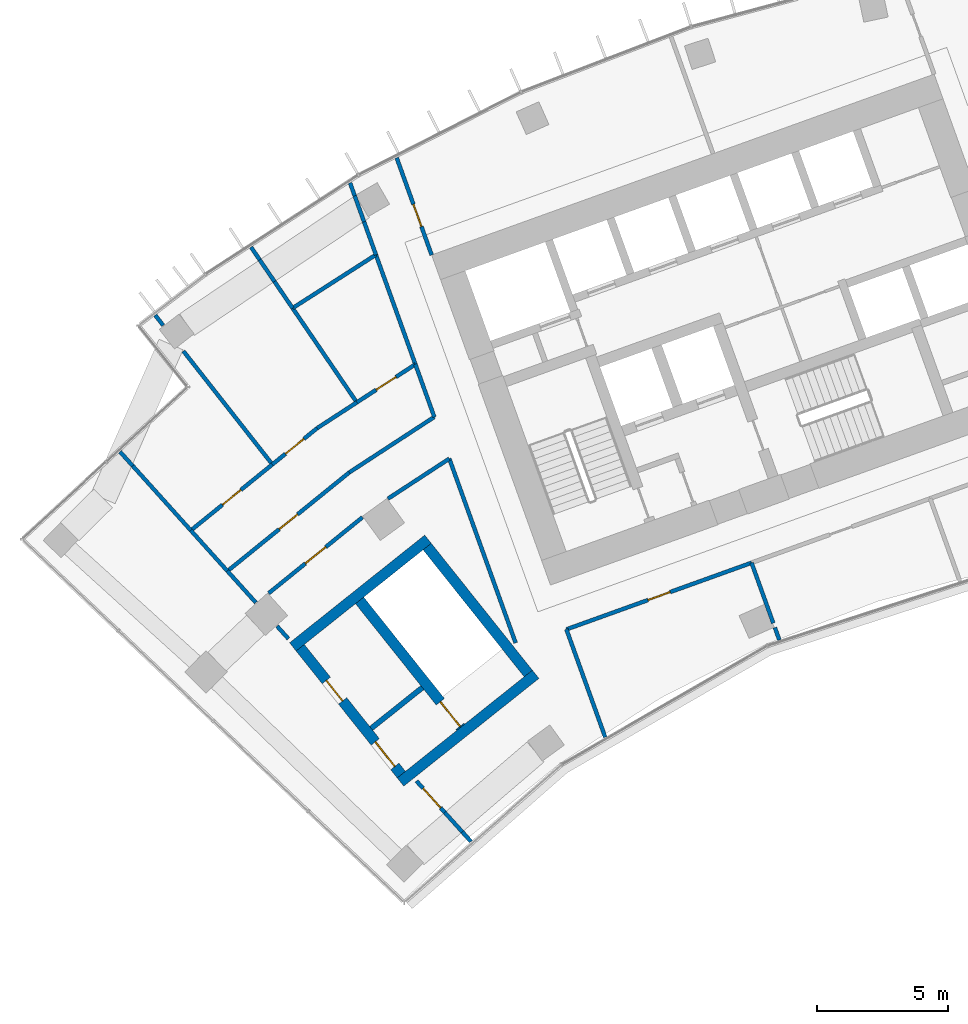
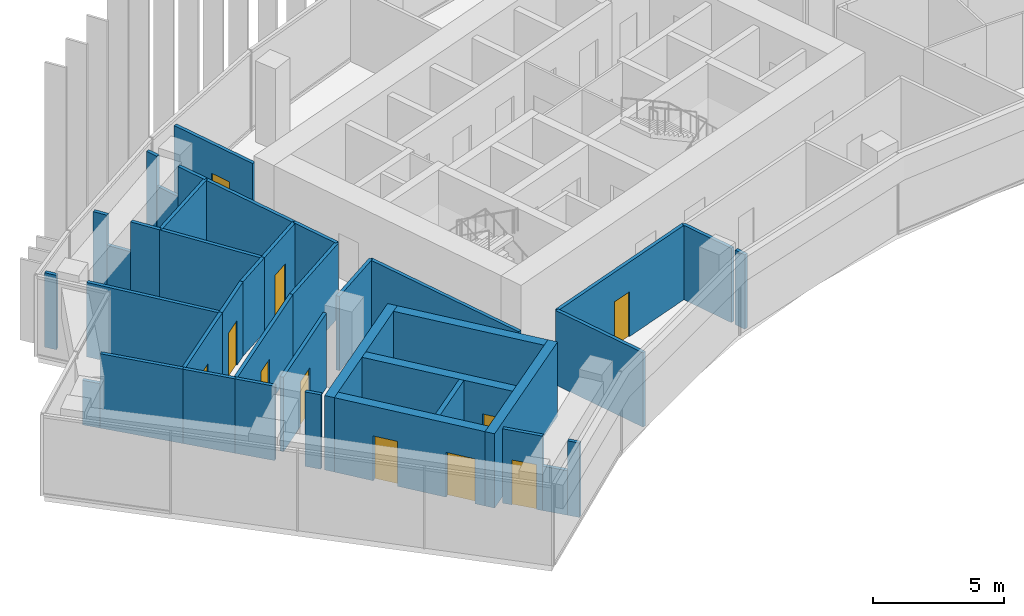
# One storey, part 13 of 20: 40 walls, 11 doors, 11 openings.
"""IFC4 building model written with IfcOpenShell, lengths in metres."""

from ifc_helpers import new_model, si_unit, direction, frame, frame_2d, origin, place, context, subcontext, project, spatial, rectangle, extrude, material, layer, layer_set, type_object, element, fill, save


model = new_model("IFC4")

# Units and contexts
model_context = context("Model", 3, precision=1e-05, world=origin(), true_north=direction((0.0, 1.0)))
body_context = subcontext(model_context, "Body", "Model", "MODEL_VIEW")
ifc_project = project(units=[si_unit("LENGTHUNIT", "METRE"), si_unit("AREAUNIT", "SQUARE_METRE"), si_unit("VOLUMEUNIT", "CUBIC_METRE"), si_unit("PLANEANGLEUNIT", "RADIAN"), si_unit("MASSUNIT", "GRAM", prefix="KILO")], contexts=[model_context])

# Site, building, storey
site_placement = place(None, origin())
site = spatial("IfcSite", under=ifc_project, at=site_placement, CompositionType="ELEMENT")
building_placement = place(site_placement, origin())
building = spatial("IfcBuilding", under=site, at=building_placement, Name="Stone Belt Terrace Tower", CompositionType="ELEMENT")
storey_placement = place(building_placement, frame((0.0, 0.0, 212.39990234375)))
storey = spatial("IfcBuildingStorey", under=building, at=storey_placement, Name="L51", CompositionType="ELEMENT", Elevation=212.39990234375)

# Wall
ifc_material_1 = material(Name="Gypsum board partition")
ifc_layer_1 = layer(ifc_material_1, 0.14990234375)
ifc_layer_set_1 = layer_set([ifc_layer_1], Name="PARTITION 150 EI 60")
wall_type_1 = type_object("IfcWallType", Name="PARTITION 150 EI 60", PredefinedType="PARTITIONING", material=ifc_layer_set_1)
wall_1_placement = place(storey_placement, frame((-25.344970703125, 40.304931640625, 0.0), z_axis=(0.0, 0.0, 1.0), x_axis=(0.338603151709, -0.94092927771, 0.0)))
element("IfcWall", 1, at=wall_1_placement, inside=storey, type_object=wall_type_1, Name="L51/wall/i001", PredefinedType="PARTITIONING", context=body_context, shape_type="SweptSolid", body=[
    extrude(rectangle(XDim=4.38525390625, YDim=0.14990234375, at=frame_2d((2.192626953125, 0.0))), origin(), (0.0, 0.0, 1.0), 3.47998046875),
])

# Wall, opening, door
wall_2_placement = place(storey_placement, frame((-31.826904296875, 58.314208984375, 0.0), z_axis=(0.0, 0.0, 1.0), x_axis=(0.338542007836, -0.940951278723, 0.0)))
wall_2 = element("IfcWall", 2, at=wall_2_placement, inside=storey, type_object=wall_type_1, Name="L51/wall/i002", PredefinedType="PARTITIONING", context=body_context, shape_type="SweptSolid", body=[
    extrude(rectangle(XDim=3.946044921875, YDim=0.14990234375, at=frame_2d((1.97314453125, 0.0))), origin(), (0.0, 0.0, 1.0), 3.47998046875),
])
opening_1_placement = place(wall_2_placement, frame((1.889892578125, 0.0, 0.0)))
opening_1 = element("IfcOpeningElement", 3, at=opening_1_placement, cuts=wall_2, Name="Opening D-D2b-04", PredefinedType="OPENING", context=body_context, shape_type="SweptSolid", body=[
    extrude(rectangle(XDim=0.89990234375, YDim=2.10009765625, at=frame_2d((0.449951171875, 1.050048828125))), frame((0.0, 0.0849609375, 0.0), z_axis=(0.0, -1.0, 0.0), x_axis=(1.0, 0.0, 0.0)), (0.0, 0.0, 1.0), 0.169921875),
])
ifc_material_2 = material(Name="Timber door leaf", Category="wood")
door_type_1 = type_object("IfcDoorType", Name="OFFICE DOOR 900 X 2100", OperationType="NOTDEFINED", PredefinedType="DOOR", material=ifc_material_2)
door_1_placement = place(opening_1_placement, origin())
door_1 = element("IfcDoor", 4, at=door_1_placement, inside=storey, type_object=door_type_1, Name="L51/door/i04", OperationType="SINGLE_SWING_RIGHT", OverallHeight=2.10009765625, OverallWidth=0.89990234375, PredefinedType="DOOR", context=body_context, shape_type="SweptSolid", body=[
    extrude(rectangle(XDim=0.89990234375, YDim=2.10009765625, at=frame_2d((0.449951171875, 1.050048828125))), frame((0.0, 0.02490234375, 0.0), z_axis=(0.0, -1.0, 0.0), x_axis=(1.0, 0.0, 0.0)), (0.0, 0.0, 1.0), 0.050048828125),
])
fill(opening_1, door_1)

# Walls
wall_3_placement = place(storey_placement, frame((-28.9892578125, 32.194580078125, 0.0), z_axis=(0.0, 0.0, 1.0), x_axis=(-0.668937334679, 0.743318802582, 0.0)))
element("IfcWall", 5, at=wall_3_placement, inside=storey, type_object=wall_type_1, Name="L51/wall/i003-1", PredefinedType="PARTITIONING", context=body_context, shape_type="SweptSolid", body=[
    extrude(rectangle(XDim=0.492431640625, YDim=0.14990234375, at=frame_2d((0.24609375, 0.0))), origin(), (0.0, 0.0, 1.0), 3.47998046875),
])
wall_4_placement = place(storey_placement, frame((-29.318603515625, 32.560546875, 0.0), z_axis=(0.0, 0.0, 1.0), x_axis=(-0.669179652787, 0.743100660944, 0.0)))
element("IfcWall", 6, at=wall_4_placement, inside=storey, type_object=wall_type_1, Name="L51/wall/i003-2", PredefinedType="PARTITIONING", context=body_context, shape_type="SweptSolid", body=[
    extrude(rectangle(XDim=1.00390625, YDim=0.14990234375, at=frame_2d((0.501953125, 0.0))), origin(), (0.0, 0.0, 1.0), 2.080078125),
])

# Wall, opening, door
wall_5_placement = place(storey_placement, frame((-29.990478515625, 33.306640625, 0.0), z_axis=(0.0, 0.0, 1.0), x_axis=(-0.669023188263, 0.74324153111, 0.0)))
wall_5 = element("IfcWall", 7, at=wall_5_placement, inside=storey, type_object=wall_type_1, Name="L51/wall/i003-3", PredefinedType="PARTITIONING", context=body_context, shape_type="SweptSolid", body=[
    extrude(rectangle(XDim=1.615234375, YDim=0.14990234375, at=frame_2d((0.8076171875, 0.0))), origin(), (0.0, 0.0, 1.0), 3.47998046875),
])
opening_2_placement = place(wall_5_placement, frame((0.239501953125, 0.0, 0.0)))
opening_2 = element("IfcOpeningElement", 8, at=opening_2_placement, cuts=wall_5, Name="Opening D-D2b-11", PredefinedType="OPENING", context=body_context, shape_type="SweptSolid", body=[
    extrude(rectangle(XDim=1.0, YDim=2.10009765625, at=frame_2d((0.5, 1.050048828125))), frame((0.0, 0.0849609375, 0.0), z_axis=(0.0, -1.0, 0.0), x_axis=(1.0, 0.0, 0.0)), (0.0, 0.0, 1.0), 0.169921875),
])
ifc_material_3 = material(Name="Timber fire door leaf", Category="wood")
door_type_2 = type_object("IfcDoorType", Name="TENANCY ENTRANCE DOOR 1000 X 2100", OperationType="NOTDEFINED", PredefinedType="DOOR", material=ifc_material_3)
door_2_placement = place(opening_2_placement, origin())
door_2 = element("IfcDoor", 9, at=door_2_placement, inside=storey, type_object=door_type_2, Name="L51/door/i11", OperationType="SINGLE_SWING_RIGHT", OverallHeight=2.10009765625, OverallWidth=1.0, PredefinedType="DOOR", context=body_context, shape_type="SweptSolid", body=[
    extrude(rectangle(XDim=1.0, YDim=2.10009765625, at=frame_2d((0.5, 1.050048828125))), frame((0.0, 0.02490234375, 0.0), z_axis=(0.0, -1.0, 0.0), x_axis=(1.0, 0.0, 0.0)), (0.0, 0.0, 1.0), 0.050048828125),
])
fill(opening_2, door_2)

# Walls
wall_6_placement = place(storey_placement, frame((-27.282958984375, 39.781982421875, 0.0), z_axis=(0.0, 0.0, 1.0), x_axis=(-0.338714849804, 0.940889074505, 0.0)))
element("IfcWall", 10, at=wall_6_placement, inside=storey, type_object=wall_type_1, Name="L51/wall/i004", PredefinedType="PARTITIONING", context=body_context, shape_type="SweptSolid", body=[
    extrude(rectangle(XDim=7.487548828125, YDim=0.14990234375, at=frame_2d((3.74365234375, 0.0))), origin(), (0.0, 0.0, 1.0), 3.47998046875),
])
wall_7_placement = place(storey_placement, frame((-30.387939453125, 48.408935546875, 0.0), z_axis=(0.0, 0.0, 1.0), x_axis=(-0.338510151975, 0.940962739438, 0.0)))
element("IfcWall", 11, at=wall_7_placement, inside=storey, type_object=wall_type_1, Name="L51/wall/i005", PredefinedType="PARTITIONING", context=body_context, shape_type="SweptSolid", body=[
    extrude(rectangle(XDim=2.147705078125, YDim=0.14990234375, at=frame_2d((1.07373046875, 0.0))), origin(), (0.0, 0.0, 1.0), 3.47998046875),
])
wall_8_placement = place(storey_placement, frame((-31.111083984375, 50.41796875, 0.0), z_axis=(0.0, 0.0, 1.0), x_axis=(-0.338855091794, 0.940838576359, 0.0)))
element("IfcWall", 12, at=wall_8_placement, inside=storey, type_object=wall_type_1, Name="L51/wall/i006", PredefinedType="PARTITIONING", context=body_context, shape_type="SweptSolid", body=[
    extrude(rectangle(XDim=4.4619140625, YDim=0.14990234375, at=frame_2d((2.23095703125, 0.0))), origin(), (0.0, 0.0, 1.0), 3.47998046875),
])
wall_9_placement = place(storey_placement, frame((-32.617919921875, 54.60498046875, 0.0), z_axis=(0.0, 0.0, 1.0), x_axis=(-0.338764516905, 0.940871193143, 0.0)))
element("IfcWall", 13, at=wall_9_placement, inside=storey, type_object=wall_type_1, Name="L51/wall/i007-1", PredefinedType="PARTITIONING", context=body_context, shape_type="SweptSolid", body=[
    extrude(rectangle(XDim=1.34326171875, YDim=0.14990234375, at=frame_2d((0.671630859375, 0.0))), origin(), (0.0, 0.0, 1.0), 3.47998046875),
])
wall_10_placement = place(storey_placement, frame((-33.072998046875, 55.868896484375, 0.0), z_axis=(0.0, 0.0, 1.0), x_axis=(-0.338875412261, 0.940831257434, 0.0)))
element("IfcWall", 14, at=wall_10_placement, inside=storey, type_object=wall_type_1, Name="L51/wall/i007-2", PredefinedType="PARTITIONING", context=body_context, shape_type="SweptSolid", body=[
    extrude(rectangle(XDim=1.05322265625, YDim=0.14990234375, at=frame_2d((0.526611328125, 0.0))), origin(), (0.0, 0.0, 1.0), 2.080078125),
])
wall_11_placement = place(storey_placement, frame((-33.429931640625, 56.85986328125, 0.0), z_axis=(0.0, 0.0, 1.0), x_axis=(-0.338867606804, 0.940834068823, 0.0)))
element("IfcWall", 15, at=wall_11_placement, inside=storey, type_object=wall_type_1, Name="L51/wall/i007-3", PredefinedType="PARTITIONING", context=body_context, shape_type="SweptSolid", body=[
    extrude(rectangle(XDim=0.525146484375, YDim=0.14990234375, at=frame_2d((0.2626953125, 0.0))), origin(), (0.0, 0.0, 1.0), 3.47998046875),
])

# Wall, opening, door
wall_12_placement = place(storey_placement, frame((-18.264892578125, 42.845947265625, 0.0), z_axis=(0.0, 0.0, 1.0), x_axis=(-0.940940358384, -0.338572358536, 0.0)))
wall_12 = element("IfcWall", 16, at=wall_12_placement, inside=storey, type_object=wall_type_1, Name="L51/wall/i015", PredefinedType="PARTITIONING", context=body_context, shape_type="SweptSolid", body=[
    extrude(rectangle(XDim=7.5224609375, YDim=0.14990234375, at=frame_2d((3.76123046875, 0.0))), origin(), (0.0, 0.0, 1.0), 3.47998046875),
])
opening_3_placement = place(wall_12_placement, frame((3.311279296875, 0.0, 0.0)))
opening_3 = element("IfcOpeningElement", 17, at=opening_3_placement, cuts=wall_12, Name="Opening D-D2b-01", PredefinedType="OPENING", context=body_context, shape_type="SweptSolid", body=[
    extrude(rectangle(XDim=0.89990234375, YDim=2.10009765625, at=frame_2d((0.449951171875, 1.050048828125))), frame((0.0, 0.0849609375, 0.0), z_axis=(0.0, -1.0, 0.0), x_axis=(1.0, 0.0, 0.0)), (0.0, 0.0, 1.0), 0.169921875),
])
door_3_placement = place(opening_3_placement, origin())
door_3 = element("IfcDoor", 18, at=door_3_placement, inside=storey, type_object=door_type_1, Name="L51/door/i01", OperationType="SINGLE_SWING_RIGHT", OverallHeight=2.10009765625, OverallWidth=0.89990234375, PredefinedType="DOOR", context=body_context, shape_type="SweptSolid", body=[
    extrude(rectangle(XDim=0.89990234375, YDim=2.10009765625, at=frame_2d((0.449951171875, 1.050048828125))), frame((0.0, 0.02490234375, 0.0), z_axis=(0.0, -1.0, 0.0), x_axis=(1.0, 0.0, 0.0)), (0.0, 0.0, 1.0), 0.050048828125),
])
fill(opening_3, door_3)

# Walls
wall_13_placement = place(storey_placement, frame((-18.27099609375, 42.843994140625, 0.0), z_axis=(0.0, 0.0, 1.0), x_axis=(0.338641965783, -0.940915309159, 0.0)))
element("IfcWall", 19, at=wall_13_placement, inside=storey, type_object=wall_type_1, Name="L51/wall/i018", PredefinedType="PARTITIONING", context=body_context, shape_type="SweptSolid", body=[
    extrude(rectangle(XDim=2.4541015625, YDim=0.14990234375, at=frame_2d((1.22705078125, 0.0))), origin(), (0.0, 0.0, 1.0), 3.47998046875),
])
wall_14_placement = place(storey_placement, frame((-17.379150390625, 40.3662109375, 0.0), z_axis=(0.0, 0.0, 1.0), x_axis=(0.338719468273, -0.940887411869, 0.0)))
element("IfcWall", 20, at=wall_14_placement, inside=storey, type_object=wall_type_1, Name="L51/wall/i019", PredefinedType="PARTITIONING", context=body_context, shape_type="SweptSolid", body=[
    extrude(rectangle(XDim=0.49951171875, YDim=0.14990234375, at=frame_2d((0.249755859375, 0.0))), origin(), (0.0, 0.0, 1.0), 3.47998046875),
])
wall_15_placement = place(storey_placement, frame((-38.294921875, 42.530029296875, 0.0), z_axis=(0.0, 0.0, 1.0), x_axis=(0.669105815647, -0.743167146386, 0.0)))
element("IfcWall", 21, at=wall_15_placement, inside=storey, type_object=wall_type_1, Name="L51/wall/i039", PredefinedType="PARTITIONING", context=body_context, shape_type="SweptSolid", body=[
    extrude(rectangle(XDim=1.625244140625, YDim=0.14990234375, at=frame_2d((0.8125, 0.0))), origin(), (0.0, 0.0, 1.0), 3.47998046875),
])
wall_16_placement = place(storey_placement, frame((-36.3974609375, 40.42333984375, 0.0), z_axis=(0.0, 0.0, 1.0), x_axis=(0.669006377534, -0.743256662815, 0.0)))
element("IfcWall", 22, at=wall_16_placement, inside=storey, type_object=wall_type_1, Name="L51/wall/i040", PredefinedType="PARTITIONING", context=body_context, shape_type="SweptSolid", body=[
    extrude(rectangle(XDim=0.647705078125, YDim=0.14990234375, at=frame_2d((0.32373046875, 0.0))), origin(), (0.0, 0.0, 1.0), 3.47998046875),
])
wall_17_placement = place(storey_placement, frame((-39.694091796875, 44.083984375, 0.0), z_axis=(0.0, 0.0, 1.0), x_axis=(0.66904169551, -0.743224871535, 0.0)))
element("IfcWall", 23, at=wall_17_placement, inside=storey, type_object=wall_type_1, Name="L51/wall/i041", PredefinedType="PARTITIONING", context=body_context, shape_type="SweptSolid", body=[
    extrude(rectangle(XDim=2.10302734375, YDim=0.14990234375, at=frame_2d((1.051513671875, 0.0))), origin(), (0.0, 0.0, 1.0), 3.47998046875),
])
wall_18_placement = place(storey_placement, frame((-42.39501953125, 47.084228515625, 0.0), z_axis=(0.0, 0.0, 1.0), x_axis=(0.669263774726, -0.743024898533, 0.0)))
element("IfcWall", 24, at=wall_18_placement, inside=storey, type_object=wall_type_1, Name="L51/wall/i042-1", PredefinedType="PARTITIONING", context=body_context, shape_type="SweptSolid", body=[
    extrude(rectangle(XDim=0.721435546875, YDim=0.14990234375, at=frame_2d((0.36083984375, 0.0))), origin(), (0.0, 0.0, 1.0), 2.080078125),
])
wall_19_placement = place(storey_placement, frame((-41.912109375, 46.548095703125, 0.0), z_axis=(0.0, 0.0, 1.0), x_axis=(0.669005267606, -0.743257661861, 0.0)))
element("IfcWall", 25, at=wall_19_placement, inside=storey, type_object=wall_type_1, Name="L51/wall/i042-2", PredefinedType="PARTITIONING", context=body_context, shape_type="SweptSolid", body=[
    extrude(rectangle(XDim=3.327392578125, YDim=0.14990234375, at=frame_2d((1.66357421875, 0.0))), origin(), (0.0, 0.0, 1.0), 3.47998046875),
])
wall_20_placement = place(storey_placement, frame((-29.81689453125, 46.821044921875, 0.0), z_axis=(0.0, 0.0, 1.0), x_axis=(-0.837343079097, -0.54667775507, 0.0)))
element("IfcWall", 26, at=wall_20_placement, inside=storey, type_object=wall_type_1, Name="L51/wall/i043", PredefinedType="PARTITIONING", context=body_context, shape_type="SweptSolid", body=[
    extrude(rectangle(XDim=2.796875, YDim=0.14990234375, at=frame_2d((1.3984375, 0.0))), origin(), (0.0, 0.0, 1.0), 3.47998046875),
])

# Wall, opening, door
wall_21_placement = place(storey_placement, frame((-33.136962890625, 44.57958984375, 0.0), z_axis=(0.0, 0.0, 1.0), x_axis=(-0.777157211672, -0.629306497937, 0.0)))
wall_21 = element("IfcWall", 27, at=wall_21_placement, inside=storey, type_object=wall_type_1, Name="L51/wall/i044", PredefinedType="PARTITIONING", context=body_context, shape_type="SweptSolid", body=[
    extrude(rectangle(XDim=4.60546875, YDim=0.14990234375, at=frame_2d((2.302734375, 0.0))), origin(), (0.0, 0.0, 1.0), 3.47998046875),
])
opening_4_placement = place(wall_21_placement, frame((1.802734375, 0.0, 0.0)))
opening_4 = element("IfcOpeningElement", 28, at=opening_4_placement, cuts=wall_21, Name="Opening D-D2b-12", PredefinedType="OPENING", context=body_context, shape_type="SweptSolid", body=[
    extrude(rectangle(XDim=1.0, YDim=2.10009765625, at=frame_2d((0.5, 1.050048828125))), frame((0.0, 0.0849609375, 0.0), z_axis=(0.0, -1.0, 0.0), x_axis=(1.0, 0.0, 0.0)), (0.0, 0.0, 1.0), 0.169921875),
])
door_4_placement = place(opening_4_placement, origin())
door_4 = element("IfcDoor", 29, at=door_4_placement, inside=storey, type_object=door_type_2, Name="L51/door/i12", OperationType="SINGLE_SWING_RIGHT", OverallHeight=2.10009765625, OverallWidth=1.0, PredefinedType="DOOR", context=body_context, shape_type="SweptSolid", body=[
    extrude(rectangle(XDim=1.0, YDim=2.10009765625, at=frame_2d((0.5, 1.050048828125))), frame((0.0, 0.02490234375, 0.0), z_axis=(0.0, -1.0, 0.0), x_axis=(1.0, 0.0, 0.0)), (0.0, 0.0, 1.0), 0.050048828125),
])
fill(opening_4, door_4)

wall_22_placement = place(storey_placement, frame((-38.291015625, 42.52587890625, 0.0), z_axis=(0.0, 0.0, 1.0), x_axis=(0.777109127033, 0.629365875054, 0.0)))
wall_22 = element("IfcWall", 30, at=wall_22_placement, inside=storey, type_object=wall_type_1, Name="L51/wall/i045", PredefinedType="PARTITIONING", context=body_context, shape_type="SweptSolid", body=[
    extrude(rectangle(XDim=5.990234375, YDim=0.14990234375, at=frame_2d((2.9951171875, 0.0))), origin(), (0.0, 0.0, 1.0), 3.47998046875),
])
opening_5_placement = place(wall_22_placement, frame((2.545166015625, 0.0, 0.0)))
opening_5 = element("IfcOpeningElement", 31, at=opening_5_placement, cuts=wall_22, Name="Opening D-D2b-13", PredefinedType="OPENING", context=body_context, shape_type="SweptSolid", body=[
    extrude(rectangle(XDim=0.89990234375, YDim=2.10009765625, at=frame_2d((0.449951171875, 1.050048828125))), frame((0.0, 0.0849609375, 0.0), z_axis=(0.0, -1.0, 0.0), x_axis=(1.0, 0.0, 0.0)), (0.0, 0.0, 1.0), 0.169921875),
])
door_5_placement = place(opening_5_placement, origin())
door_5 = element("IfcDoor", 32, at=door_5_placement, inside=storey, type_object=door_type_1, Name="L51/door/i13", OperationType="SINGLE_SWING_RIGHT", OverallHeight=2.10009765625, OverallWidth=0.89990234375, PredefinedType="DOOR", context=body_context, shape_type="SweptSolid", body=[
    extrude(rectangle(XDim=0.89990234375, YDim=2.10009765625, at=frame_2d((0.449951171875, 1.050048828125))), frame((0.0, 0.02490234375, 0.0), z_axis=(0.0, -1.0, 0.0), x_axis=(1.0, 0.0, 0.0)), (0.0, 0.0, 1.0), 0.050048828125),
])
fill(opening_5, door_5)

# Wall
wall_23_placement = place(storey_placement, frame((-33.635986328125, 46.2958984375, 0.0), z_axis=(0.0, 0.0, 1.0), x_axis=(0.83735993179, 0.54665194103, 0.0)))
element("IfcWall", 33, at=wall_23_placement, inside=storey, type_object=wall_type_1, Name="L51/wall/i046", PredefinedType="PARTITIONING", context=body_context, shape_type="SweptSolid", body=[
    extrude(rectangle(XDim=3.87646484375, YDim=0.14990234375, at=frame_2d((1.938232421875, 0.0))), origin(), (0.0, 0.0, 1.0), 3.47998046875),
])

# Wall, opening, door
wall_24_placement = place(storey_placement, frame((-39.68994140625, 44.080078125, 0.0), z_axis=(0.0, 0.0, 1.0), x_axis=(0.777257626376, 0.629182471339, 0.0)))
wall_24 = element("IfcWall", 34, at=wall_24_placement, inside=storey, type_object=wall_type_1, Name="L51/wall/i047", PredefinedType="PARTITIONING", context=body_context, shape_type="SweptSolid", body=[
    extrude(rectangle(XDim=4.011474609375, YDim=0.14990234375, at=frame_2d((2.005859375, 0.0))), origin(), (0.0, 0.0, 1.0), 3.47998046875),
])
opening_6_placement = place(wall_24_placement, frame((1.5556640625, 0.0, 0.0)))
opening_6 = element("IfcOpeningElement", 35, at=opening_6_placement, cuts=wall_24, Name="Opening D-D2b-14", PredefinedType="OPENING", context=body_context, shape_type="SweptSolid", body=[
    extrude(rectangle(XDim=0.89990234375, YDim=2.10009765625, at=frame_2d((0.449951171875, 1.050048828125))), frame((0.0, 0.0849609375, 0.0), z_axis=(0.0, -1.0, 0.0), x_axis=(1.0, 0.0, 0.0)), (0.0, 0.0, 1.0), 0.169921875),
])
door_6_placement = place(opening_6_placement, origin())
door_6 = element("IfcDoor", 36, at=door_6_placement, inside=storey, type_object=door_type_1, Name="L51/door/i14", OperationType="SINGLE_SWING_RIGHT", OverallHeight=2.10009765625, OverallWidth=0.89990234375, PredefinedType="DOOR", context=body_context, shape_type="SweptSolid", body=[
    extrude(rectangle(XDim=0.89990234375, YDim=2.10009765625, at=frame_2d((0.449951171875, 1.050048828125))), frame((0.0, 0.02490234375, 0.0), z_axis=(0.0, -1.0, 0.0), x_axis=(1.0, 0.0, 0.0)), (0.0, 0.0, 1.0), 0.050048828125),
])
fill(opening_6, door_6)

wall_25_placement = place(storey_placement, frame((-36.5810546875, 46.596923828125, 0.0), z_axis=(0.0, 0.0, 1.0), x_axis=(0.777036302679, 0.629455784244, 0.0)))
wall_25 = element("IfcWall", 37, at=wall_25_placement, inside=storey, type_object=wall_type_1, Name="L51/wall/i048", PredefinedType="PARTITIONING", context=body_context, shape_type="SweptSolid", body=[
    extrude(rectangle(XDim=2.20849609375, YDim=0.14990234375, at=frame_2d((1.104248046875, 0.0))), origin(), (0.0, 0.0, 1.0), 3.47998046875),
])
opening_7_placement = place(wall_25_placement, frame((0.654052734375, 0.0, 0.0)))
opening_7 = element("IfcOpeningElement", 38, at=opening_7_placement, cuts=wall_25, Name="Opening D-D2b-15", PredefinedType="OPENING", context=body_context, shape_type="SweptSolid", body=[
    extrude(rectangle(XDim=0.89990234375, YDim=2.10009765625, at=frame_2d((0.449951171875, 1.050048828125))), frame((0.0, 0.0849609375, 0.0), z_axis=(0.0, -1.0, 0.0), x_axis=(1.0, 0.0, 0.0)), (0.0, 0.0, 1.0), 0.169921875),
])
door_7_placement = place(opening_7_placement, origin())
door_7 = element("IfcDoor", 39, at=door_7_placement, inside=storey, type_object=door_type_1, Name="L51/door/i15", OperationType="SINGLE_SWING_RIGHT", OverallHeight=2.10009765625, OverallWidth=0.89990234375, PredefinedType="DOOR", context=body_context, shape_type="SweptSolid", body=[
    extrude(rectangle(XDim=0.89990234375, YDim=2.10009765625, at=frame_2d((0.449951171875, 1.050048828125))), frame((0.0, 0.02490234375, 0.0), z_axis=(0.0, -1.0, 0.0), x_axis=(1.0, 0.0, 0.0)), (0.0, 0.0, 1.0), 0.050048828125),
])
fill(opening_7, door_7)

# Wall
wall_26_placement = place(storey_placement, frame((-34.864990234375, 47.987060546875, 0.0), z_axis=(0.0, 0.0, 1.0), x_axis=(0.838831506128, 0.544391131749, 0.0)))
element("IfcWall", 40, at=wall_26_placement, inside=storey, type_object=wall_type_1, Name="L51/wall/i049", PredefinedType="PARTITIONING", context=body_context, shape_type="SweptSolid", body=[
    extrude(rectangle(XDim=1.810791015625, YDim=0.14990234375, at=frame_2d((0.9052734375, 0.0))), origin(), (0.0, 0.0, 1.0), 3.47998046875),
])

# Wall, opening, door
wall_27_placement = place(storey_placement, frame((-33.35595703125, 48.967041015625, 0.0), z_axis=(0.0, 0.0, 1.0), x_axis=(0.838591655075, 0.544760530912, 0.0)))
wall_27 = element("IfcWall", 41, at=wall_27_placement, inside=storey, type_object=wall_type_1, Name="L51/wall/i050", PredefinedType="PARTITIONING", context=body_context, shape_type="SweptSolid", body=[
    extrude(rectangle(XDim=2.674560546875, YDim=0.14990234375, at=frame_2d((1.33740234375, 0.0))), origin(), (0.0, 0.0, 1.0), 3.47998046875),
])
opening_8_placement = place(wall_27_placement, frame((0.887451171875, 0.0, 0.0)))
opening_8 = element("IfcOpeningElement", 42, at=opening_8_placement, cuts=wall_27, Name="Opening D-D2b-16", PredefinedType="OPENING", context=body_context, shape_type="SweptSolid", body=[
    extrude(rectangle(XDim=0.89990234375, YDim=2.10009765625, at=frame_2d((0.449951171875, 1.050048828125))), frame((0.0, 0.0849609375, 0.0), z_axis=(0.0, -1.0, 0.0), x_axis=(1.0, 0.0, 0.0)), (0.0, 0.0, 1.0), 0.169921875),
])
door_8_placement = place(opening_8_placement, origin())
door_8 = element("IfcDoor", 43, at=door_8_placement, inside=storey, type_object=door_type_1, Name="L51/door/i16", OperationType="SINGLE_SWING_RIGHT", OverallHeight=2.10009765625, OverallWidth=0.89990234375, PredefinedType="DOOR", context=body_context, shape_type="SweptSolid", body=[
    extrude(rectangle(XDim=0.89990234375, YDim=2.10009765625, at=frame_2d((0.449951171875, 1.050048828125))), frame((0.0, 0.02490234375, 0.0), z_axis=(0.0, -1.0, 0.0), x_axis=(1.0, 0.0, 0.0)), (0.0, 0.0, 1.0), 0.050048828125),
])
fill(opening_8, door_8)

# Walls
wall_28_placement = place(storey_placement, frame((-41.05078125, 52.30078125, 0.0), z_axis=(0.0, 0.0, 1.0), x_axis=(0.617296297688, -0.786730754999, 0.0)))
element("IfcWall", 44, at=wall_28_placement, inside=storey, type_object=wall_type_1, Name="L51/wall/i051", PredefinedType="PARTITIONING", context=body_context, shape_type="SweptSolid", body=[
    extrude(rectangle(XDim=0.49267578125, YDim=0.14990234375, at=frame_2d((0.246337890625, 0.0))), origin(), (0.0, 0.0, 1.0), 3.47998046875),
])
wall_29_placement = place(storey_placement, frame((-39.974609375, 50.9296875, 0.0), z_axis=(0.0, 0.0, 1.0), x_axis=(0.617445277707, -0.786613837303, 0.0)))
element("IfcWall", 45, at=wall_29_placement, inside=storey, type_object=wall_type_1, Name="L51/wall/i052-2", PredefinedType="PARTITIONING", context=body_context, shape_type="SweptSolid", body=[
    extrude(rectangle(XDim=5.5029296875, YDim=0.14990234375, at=frame_2d((2.75146484375, 0.0))), origin(), (0.0, 0.0, 1.0), 3.47998046875),
])
wall_30_placement = place(storey_placement, frame((-35.806884765625, 52.576904296875, 0.0), z_axis=(0.0, 0.0, 1.0), x_axis=(0.56279504392, -0.826596478664, 0.0)))
element("IfcWall", 46, at=wall_30_placement, inside=storey, type_object=wall_type_1, Name="L51/wall/i053", PredefinedType="PARTITIONING", context=body_context, shape_type="SweptSolid", body=[
    extrude(rectangle(XDim=4.363525390625, YDim=0.14990234375, at=frame_2d((2.181640625, 0.0))), origin(), (0.0, 0.0, 1.0), 3.47998046875),
])
wall_31_placement = place(storey_placement, frame((-37.390380859375, 54.901611328125, 0.0), z_axis=(0.0, 0.0, 1.0), x_axis=(0.562694735381, -0.826664765655, 0.0)))
element("IfcWall", 47, at=wall_31_placement, inside=storey, type_object=wall_type_1, Name="L51/wall/i054-1", PredefinedType="PARTITIONING", context=body_context, shape_type="SweptSolid", body=[
    extrude(rectangle(XDim=0.590087890625, YDim=0.14990234375, at=frame_2d((0.294921875, 0.0))), origin(), (0.0, 0.0, 1.0), 3.47998046875),
])
wall_32_placement = place(storey_placement, frame((-37.058349609375, 54.413818359375, 0.0), z_axis=(0.0, 0.0, 1.0), x_axis=(0.562837083605, -0.826567854032, 0.0)))
element("IfcWall", 48, at=wall_32_placement, inside=storey, type_object=wall_type_1, Name="L51/wall/i054-2", PredefinedType="PARTITIONING", context=body_context, shape_type="SweptSolid", body=[
    extrude(rectangle(XDim=1.000732421875, YDim=0.14990234375, at=frame_2d((0.50048828125, 0.0))), origin(), (0.0, 0.0, 1.0), 2.080078125),
])
wall_33_placement = place(storey_placement, frame((-36.4951171875, 53.586669921875, 0.0), z_axis=(0.0, 0.0, 1.0), x_axis=(0.562667252067, -0.826683472347, 0.0)))
element("IfcWall", 49, at=wall_33_placement, inside=storey, type_object=wall_type_1, Name="L51/wall/i054-3", PredefinedType="PARTITIONING", context=body_context, shape_type="SweptSolid", body=[
    extrude(rectangle(XDim=1.233642578125, YDim=0.14990234375, at=frame_2d((0.61669921875, 0.0))), origin(), (0.0, 0.0, 1.0), 3.47998046875),
])
wall_34_placement = place(storey_placement, frame((-35.803955078125, 52.572021484375, 0.0), z_axis=(0.0, 0.0, 1.0), x_axis=(0.842102486174, 0.539317534278, 0.0)))
element("IfcWall", 50, at=wall_34_placement, inside=storey, type_object=wall_type_1, Name="L51/wall/i055", PredefinedType="PARTITIONING", context=body_context, shape_type="SweptSolid", body=[
    extrude(rectangle(XDim=3.78076171875, YDim=0.14990234375, at=frame_2d((1.890380859375, 0.0))), origin(), (0.0, 0.0, 1.0), 3.47998046875),
])
ifc_material_4 = material(Name="Concrete masonry block", Category="masonry")
ifc_layer_2 = layer(ifc_material_4, 0.199951171875)
ifc_layer_set_2 = layer_set([ifc_layer_2], Name="Rated lobby wall 200")
wall_type_2 = type_object("IfcWallType", Name="Rated lobby wall 200", PredefinedType="PARTITIONING", material=ifc_layer_set_2)
wall_35_placement = place(storey_placement, frame((-30.845703125, 38.074951171875, 0.0), z_axis=(0.0, 0.0, 1.0), x_axis=(-0.782115323833, -0.623133709749, 0.0)))
element("IfcWall", 51, at=wall_35_placement, inside=storey, type_object=wall_type_2, Name="Exit stair ST3A wall", PredefinedType="PARTITIONING", context=body_context, shape_type="SweptSolid", body=[
    extrude(rectangle(XDim=2.5, YDim=0.199951171875, at=frame_2d((1.25, 0.0))), origin(), (0.0, 0.0, 1.0), 3.47998046875),
])
ifc_material_5 = material(Name="Concrete B80", Category="concrete")
ifc_layer_3 = layer(ifc_material_5, 0.39990234375)
ifc_layer_set_3 = layer_set([ifc_layer_3], Name="Stair enclosure wall 400")
wall_type_3 = type_object("IfcWallType", Name="Stair enclosure wall 400", PredefinedType="SHEAR", material=ifc_layer_set_3)
for number, where, z_axis, x_axis, name in (
    (52, (-26.518798828125, 38.58154296875, 0.0), (0.0, 0.0, 1.0), (-0.782133914161, -0.623110375711, 0.0), "Exit stair ST3A wall"),
    (53, (-30.63134765625, 43.74365234375, 0.0), (0.0, 0.0, 1.0), (-0.782133914161, -0.623110375711, 0.0), "Exit stair ST3A wall"),
):
    element("IfcWall", number, at=place(storey_placement, frame(where, z_axis=z_axis, x_axis=x_axis)), inside=storey, type_object=wall_type_3, Name=name, PredefinedType="SHEAR", context=body_context, shape_type="SweptSolid", body=[
        extrude(rectangle(XDim=6.60009765625, YDim=0.39990234375, at=frame_2d((3.300048828125, 0.0))), origin(), (0.0, 0.0, 1.0), 3.47998046875),
    ])
wall_36_placement = place(storey_placement, frame((-26.7998046875, 38.61328125, 0.0), z_axis=(0.0, 0.0, 1.0), x_axis=(-0.623118653668, 0.782127319208, 0.0)))
element("IfcWall", 54, at=wall_36_placement, inside=storey, type_object=wall_type_3, Name="Exit stair ST3A wall", PredefinedType="SHEAR", context=body_context, shape_type="SweptSolid", body=[
    extrude(rectangle(XDim=6.199951171875, YDim=0.39990234375, at=frame_2d((3.10009765625, 0.0))), origin(), (0.0, 0.0, 1.0), 3.47998046875),
])

# Wall, openings, doors
wall_37_placement = place(storey_placement, frame((-31.64892578125, 34.75, 0.0), z_axis=(0.0, 0.0, 1.0), x_axis=(-0.623118653668, 0.782127319208, 0.0)))
wall_37 = element("IfcWall", 55, at=wall_37_placement, inside=storey, type_object=wall_type_3, Name="Exit stair ST3A wall", PredefinedType="SHEAR", context=body_context, shape_type="SweptSolid", body=[
    extrude(rectangle(XDim=6.199951171875, YDim=0.39990234375, at=frame_2d((3.10009765625, 0.0))), origin(), (0.0, 0.0, 1.0), 3.47998046875),
])
opening_9_placement = place(wall_37_placement, frame((0.39990234375, 0.0, 0.0)))
opening_9 = element("IfcOpeningElement", 56, at=opening_9_placement, cuts=wall_37, Name="Opening L51-C30", PredefinedType="OPENING", context=body_context, shape_type="SweptSolid", body=[
    extrude(rectangle(XDim=1.199951171875, YDim=2.10009765625, at=frame_2d((0.60009765625, 1.050048828125))), frame((0.0, 0.2099609375, 0.0), z_axis=(0.0, -1.0, 0.0), x_axis=(1.0, 0.0, 0.0)), (0.0, 0.0, 1.0), 0.419921875),
])
opening_10_placement = place(wall_37_placement, frame((3.60009765625, 0.0, 0.0)))
opening_10 = element("IfcOpeningElement", 57, at=opening_10_placement, cuts=wall_37, Name="Opening L51-C31", PredefinedType="OPENING", context=body_context, shape_type="SweptSolid", body=[
    extrude(rectangle(XDim=1.0, YDim=2.10009765625, at=frame_2d((0.5, 1.050048828125))), frame((0.0, 0.2099609375, 0.0), z_axis=(0.0, -1.0, 0.0), x_axis=(1.0, 0.0, 0.0)), (0.0, 0.0, 1.0), 0.419921875),
])
door_type_3 = type_object("IfcDoorType", Name="Core room door 1000", OperationType="SINGLE_SWING_LEFT", PredefinedType="DOOR", material=ifc_material_2)
door_9_placement = place(opening_10_placement, origin())
door_9 = element("IfcDoor", 58, at=door_9_placement, inside=storey, type_object=door_type_3, Name="Door to stair pressurisation plant room ST3A", OperationType="SINGLE_SWING_RIGHT", OverallHeight=2.10009765625, OverallWidth=1.0, PredefinedType="DOOR", context=body_context, shape_type="SweptSolid", body=[
    extrude(rectangle(XDim=1.0, YDim=2.10009765625, at=frame_2d((0.5, 1.050048828125))), frame((0.0, 0.02490234375, 0.0), z_axis=(0.0, -1.0, 0.0), x_axis=(1.0, 0.0, 0.0)), (0.0, 0.0, 1.0), 0.050048828125),
])
fill(opening_10, door_9)
ifc_material_6 = material(Name="Steel door leaf", Category="steel")
door_type_4 = type_object("IfcDoorType", Name="Stair airlock door 1200", OperationType="SINGLE_SWING_LEFT", PredefinedType="DOOR", material=ifc_material_6)
door_10_placement = place(opening_9_placement, origin())
door_10 = element("IfcDoor", 59, at=door_10_placement, inside=storey, type_object=door_type_4, Name="Stair airlock door ST3A", OperationType="SINGLE_SWING_RIGHT", OverallHeight=2.10009765625, OverallWidth=1.199951171875, PredefinedType="DOOR", context=body_context, shape_type="SweptSolid", body=[
    extrude(rectangle(XDim=1.199951171875, YDim=2.10009765625, at=frame_2d((0.60009765625, 1.050048828125))), frame((0.0, 0.02490234375, 0.0), z_axis=(0.0, -1.0, 0.0), x_axis=(1.0, 0.0, 0.0)), (0.0, 0.0, 1.0), 0.050048828125),
])
fill(opening_9, door_10)

# Wall, opening, door
wall_38_placement = place(storey_placement, frame((-29.380859375, 36.556884765625, 0.0), z_axis=(0.0, 0.0, 1.0), x_axis=(-0.623099462847, 0.782142608097, 0.0)))
wall_38 = element("IfcWall", 60, at=wall_38_placement, inside=storey, type_object=wall_type_3, Name="Exit stair ST3A wall", PredefinedType="SHEAR", context=body_context, shape_type="SweptSolid", body=[
    extrude(rectangle(XDim=6.2001953125, YDim=0.39990234375, at=frame_2d((3.10009765625, 0.0))), origin(), (0.0, 0.0, 1.0), 3.47998046875),
])
opening_11_placement = place(wall_38_placement, frame((0.050048828125, 0.0, 0.0)))
opening_11 = element("IfcOpeningElement", 61, at=opening_11_placement, cuts=wall_38, Name="Opening L51-C29", PredefinedType="OPENING", context=body_context, shape_type="SweptSolid", body=[
    extrude(rectangle(XDim=1.199951171875, YDim=2.10009765625, at=frame_2d((0.60009765625, 1.050048828125))), frame((0.0, 0.2099609375, 0.0), z_axis=(0.0, -1.0, 0.0), x_axis=(1.0, 0.0, 0.0)), (0.0, 0.0, 1.0), 0.419921875),
])
door_type_5 = type_object("IfcDoorType", Name="Stair door 1200", OperationType="SINGLE_SWING_LEFT", PredefinedType="DOOR", material=ifc_material_6)
door_11_placement = place(opening_11_placement, origin())
door_11 = element("IfcDoor", 62, at=door_11_placement, inside=storey, type_object=door_type_5, Name="Stair door ST3A", OperationType="SINGLE_SWING_LEFT", OverallHeight=2.10009765625, OverallWidth=1.199951171875, PredefinedType="DOOR", context=body_context, shape_type="SweptSolid", body=[
    extrude(rectangle(XDim=1.199951171875, YDim=2.10009765625, at=frame_2d((0.60009765625, 1.050048828125))), frame((0.0, 0.02490234375, 0.0), z_axis=(0.0, -1.0, 0.0), x_axis=(1.0, 0.0, 0.0)), (0.0, 0.0, 1.0), 0.050048828125),
])
fill(opening_11, door_11)

save(model, "model.ifc")
